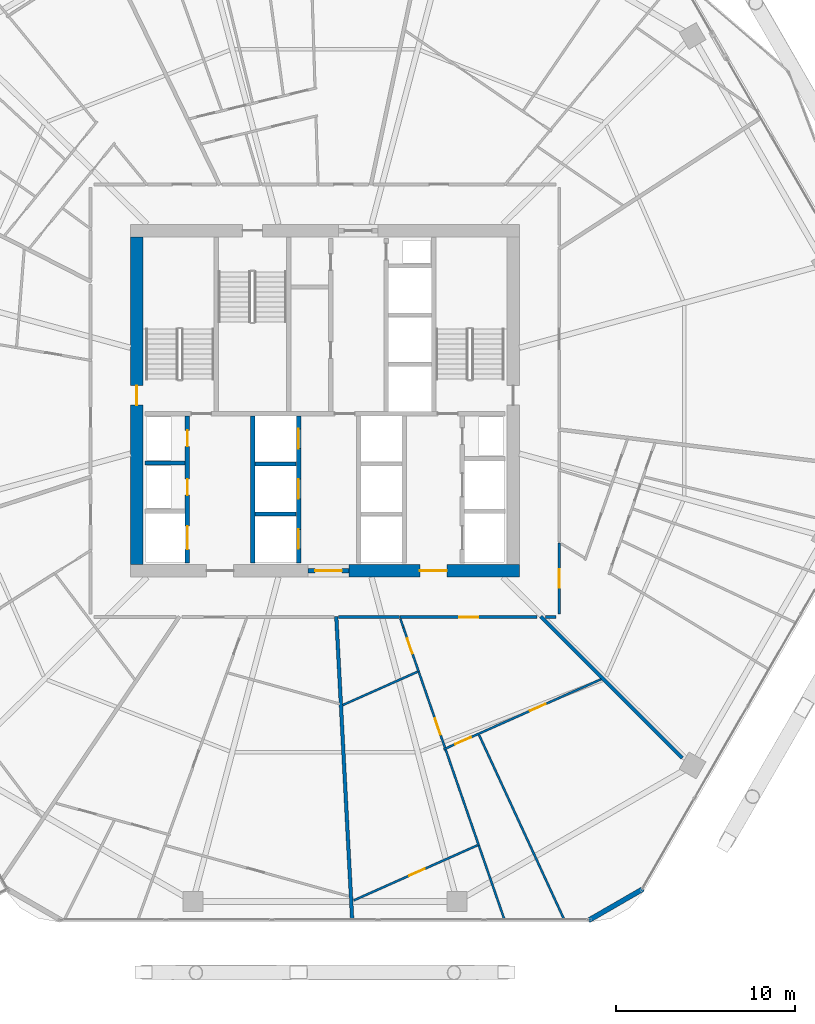
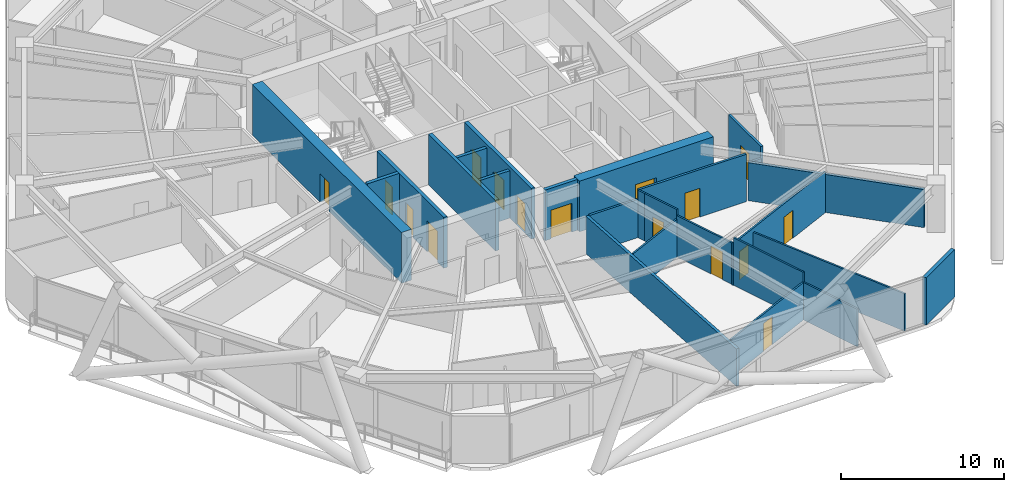
# One storey, part 28 of 35: 25 walls, 16 doors, 16 openings.
"""IFC4 building model written with IfcOpenShell, lengths in metres."""

from ifc_helpers import new_model, si_unit, direction, frame, frame_2d, origin, place, context, subcontext, project, spatial, rectangle, extrude, material, layer, layer_set, type_object, element, fill, save


model = new_model("IFC4")

# Units and contexts
model_context = context("Model", 3, precision=1e-05, world=origin(), true_north=direction((0.0, 1.0)))
body_context = subcontext(model_context, "Body", "Model", "MODEL_VIEW")
ifc_project = project(units=[si_unit("LENGTHUNIT", "METRE"), si_unit("AREAUNIT", "SQUARE_METRE"), si_unit("VOLUMEUNIT", "CUBIC_METRE"), si_unit("PLANEANGLEUNIT", "RADIAN"), si_unit("MASSUNIT", "GRAM", prefix="KILO")], contexts=[model_context])

# Site, building, storey
site_placement = place(None, origin())
site = spatial("IfcSite", under=ifc_project, at=site_placement, CompositionType="ELEMENT")
building_placement = place(site_placement, origin())
building = spatial("IfcBuilding", under=site, at=building_placement, Name="Zuhravey Tower", CompositionType="ELEMENT")
storey_placement = place(building_placement, frame((0.0, 0.0, 122.800048828125)))
storey = spatial("IfcBuildingStorey", under=building, at=storey_placement, Name="L30", CompositionType="ELEMENT", Elevation=122.800048828125)

# Wall, opening, door
ifc_material_1 = material(Name="Concrete C60/75", Category="concrete")
ifc_layer_1 = layer(ifc_material_1, 0.699951171875)
ifc_layer_set_1 = layer_set([ifc_layer_1], Name="Concrete C60/75")
wall_type_1 = type_object("IfcWallType", Name="Core Shear Wall 700", PredefinedType="SHEAR", material=ifc_layer_set_1)
wall_1_placement = place(storey_placement, frame((37.35009765625, 22.5, 0.0), z_axis=(0.0, 0.0, 1.0), x_axis=(1.0, 0.0, 0.0)))
wall_1 = element("IfcWall", 1, at=wall_1_placement, inside=storey, type_object=wall_type_1, Name="L30 South-East Core Shear Wall CW70", PredefinedType="SHEAR", context=body_context, shape_type="SweptSolid", body=[
    extrude(rectangle(XDim=9.5, YDim=0.699951171875, at=frame_2d((4.75, 0.0))), origin(), (0.0, 0.0, 1.0), 3.800048828125),
])
opening_1_placement = place(wall_1_placement, frame((3.949951171875, 0.0, 0.0)))
opening_1 = element("IfcOpeningElement", 2, at=opening_1_placement, cuts=wall_1, Name="Opening FFD1", PredefinedType="OPENING", context=body_context, shape_type="SweptSolid", body=[
    extrude(rectangle(XDim=1.5, YDim=2.14990234375, at=frame_2d((0.75, 1.074951171875))), frame((0.0, 0.362060546875, 0.0), z_axis=(0.0, -1.0, 0.0), x_axis=(1.0, 0.0, 0.0)), (0.0, 0.0, 1.0), 0.723876953125),
])
ifc_material_2 = material(Name="Galvanised fire-rated steel leaf", Category="steel")
door_type_1 = type_object("IfcDoorType", Name="Firefighting Lobby Double Door 1500x2150", OperationType="DOUBLE_DOOR_SINGLE_SWING", PredefinedType="DOOR", material=ifc_material_2)
door_1_placement = place(opening_1_placement, origin())
door_1 = element("IfcDoor", 3, at=door_1_placement, inside=storey, type_object=door_type_1, Name="L30 Firefighting Lobby East Door", OperationType="DOUBLE_DOOR_SINGLE_SWING", OverallHeight=2.14990234375, OverallWidth=1.5, PredefinedType="DOOR", context=body_context, shape_type="SweptSolid", body=[
    extrude(rectangle(XDim=1.5, YDim=2.14990234375, at=frame_2d((0.75, 1.074951171875))), frame((0.0, 0.02490234375, 0.0), z_axis=(0.0, -1.0, 0.0), x_axis=(1.0, 0.0, 0.0)), (0.0, 0.0, 1.0), 0.050048828125),
])
fill(opening_1, door_1)

wall_2_placement = place(storey_placement, frame((25.5, 22.85009765625, 0.0), z_axis=(0.0, 0.0, 1.0), x_axis=(0.0, 1.0, 0.0)))
wall_2 = element("IfcWall", 4, at=wall_2_placement, inside=storey, type_object=wall_type_1, Name="L30 West Core Shear Wall CW70", PredefinedType="SHEAR", context=body_context, shape_type="SweptSolid", body=[
    extrude(rectangle(XDim=18.2998046875, YDim=0.699951171875, at=frame_2d((9.14990234375, 0.0))), origin(), (0.0, 0.0, 1.0), 3.800048828125),
])
opening_2_placement = place(wall_2_placement, frame((8.89990234375, 0.0, 0.0)))
opening_2 = element("IfcOpeningElement", 5, at=opening_2_placement, cuts=wall_2, Name="Opening STD1", PredefinedType="OPENING", context=body_context, shape_type="SweptSolid", body=[
    extrude(rectangle(XDim=1.10009765625, YDim=2.14990234375, at=frame_2d((0.550048828125, 1.074951171875))), frame((0.0, 0.362060546875, 0.0), z_axis=(0.0, -1.0, 0.0), x_axis=(1.0, 0.0, 0.0)), (0.0, 0.0, 1.0), 0.723876953125),
])
door_type_2 = type_object("IfcDoorType", Name="Protected Stair Fire Door 1100x2150", OperationType="NOTDEFINED", PredefinedType="USERDEFINED", material=ifc_material_2)
door_2_placement = place(opening_2_placement, frame((1.10009765625, 0.0, 0.0), z_axis=(0.0, 0.0, 1.0), x_axis=(-1.0, 0.0, 0.0)))
door_2 = element("IfcDoor", 6, at=door_2_placement, inside=storey, type_object=door_type_2, Name="L30 Stair ST1 Door", ObjectType="EXITDOOR", OperationType="SINGLE_SWING_RIGHT", OverallHeight=2.14990234375, OverallWidth=1.10009765625, PredefinedType="USERDEFINED", context=body_context, shape_type="SweptSolid", body=[
    extrude(rectangle(XDim=1.10009765625, YDim=2.14990234375, at=frame_2d((0.550048828125, 1.074951171875))), frame((0.0, 0.02490234375, 0.0), z_axis=(0.0, -1.0, 0.0), x_axis=(1.0, 0.0, 0.0)), (0.0, 0.0, 1.0), 0.050048828125),
])
fill(opening_2, door_2)

ifc_material_3 = material(Name="Gypsum fire-rated stud partition")
ifc_layer_2 = layer(ifc_material_3, 0.159912109375)
ifc_layer_set_2 = layer_set([ifc_layer_2], Name="Gypsum fire-rated stud partition")
wall_type_2 = type_object("IfcWallType", Name="Corridor Fire Partition 160", PredefinedType="PARTITIONING", material=ifc_layer_set_2)
wall_3_placement = place(storey_placement, frame((40.199462890625, 19.919921875, 0.0), z_axis=(0.0, 0.0, 1.0), x_axis=(1.0, 0.0, 0.0)))
wall_3 = element("IfcWall", 7, at=wall_3_placement, inside=storey, type_object=wall_type_2, Name="L30 IW16 Partition 054", PredefinedType="PARTITIONING", context=body_context, shape_type="SweptSolid", body=[
    extrude(rectangle(XDim=7.6435546875, YDim=0.159912109375, at=frame_2d((3.82177734375, 0.0))), origin(), (0.0, 0.0, 1.0), 3.550048828125),
])
opening_3_placement = place(wall_3_placement, frame((3.296630859375, 0.0, 0.0)))
opening_3 = element("IfcOpeningElement", 8, at=opening_3_placement, cuts=wall_3, Name="Opening APD1", PredefinedType="OPENING", context=body_context, shape_type="SweptSolid", body=[
    extrude(rectangle(XDim=1.050048828125, YDim=2.14990234375, at=frame_2d((0.52490234375, 1.074951171875))), frame((0.0, 0.092041015625, 0.0), z_axis=(0.0, -1.0, 0.0), x_axis=(1.0, 0.0, 0.0)), (0.0, 0.0, 1.0), 0.183837890625),
])
ifc_material_4 = material(Name="Solid-core oak fire-rated leaf")
door_type_3 = type_object("IfcDoorType", Name="Apartment Entrance Fire Door 1050x2150", OperationType="NOTDEFINED", PredefinedType="DOOR", material=ifc_material_4)
door_3_placement = place(opening_3_placement, frame((1.050048828125, 0.0, 0.0), z_axis=(0.0, 0.0, 1.0), x_axis=(-1.0, 0.0, 0.0)))
door_3 = element("IfcDoor", 9, at=door_3_placement, inside=storey, type_object=door_type_3, Name="L30 Door 054.1", OperationType="SINGLE_SWING_RIGHT", OverallHeight=2.14990234375, OverallWidth=1.050048828125, PredefinedType="DOOR", context=body_context, shape_type="SweptSolid", body=[
    extrude(rectangle(XDim=1.050048828125, YDim=2.14990234375, at=frame_2d((0.52490234375, 1.074951171875))), frame((0.0, 0.02490234375, 0.0), z_axis=(0.0, -1.0, 0.0), x_axis=(1.0, 0.0, 0.0)), (0.0, 0.0, 1.0), 0.050048828125),
])
fill(opening_3, door_3)

wall_4_placement = place(storey_placement, frame((49.080078125, 20.1005859375, 0.0), z_axis=(0.0, 0.0, 1.0), x_axis=(0.0, 1.0, 0.0)))
wall_4 = element("IfcWall", 10, at=wall_4_placement, inside=storey, type_object=wall_type_2, Name="L30 IW16 Partition 057", PredefinedType="PARTITIONING", context=body_context, shape_type="SweptSolid", body=[
    extrude(rectangle(XDim=3.960693359375, YDim=0.159912109375, at=frame_2d((1.98046875, 0.0))), origin(), (0.0, 0.0, 1.0), 3.550048828125),
])
opening_4_placement = place(wall_4_placement, frame((1.455322265625, 0.0, 0.0)))
opening_4 = element("IfcOpeningElement", 11, at=opening_4_placement, cuts=wall_4, Name="Opening APD1", PredefinedType="OPENING", context=body_context, shape_type="SweptSolid", body=[
    extrude(rectangle(XDim=1.050048828125, YDim=2.14990234375, at=frame_2d((0.52490234375, 1.074951171875))), frame((0.0, 0.092041015625, 0.0), z_axis=(0.0, -1.0, 0.0), x_axis=(1.0, 0.0, 0.0)), (0.0, 0.0, 1.0), 0.183837890625),
])
door_4_placement = place(opening_4_placement, frame((1.050048828125, 0.0, 0.0), z_axis=(0.0, 0.0, 1.0), x_axis=(-1.0, 0.0, 0.0)))
door_4 = element("IfcDoor", 12, at=door_4_placement, inside=storey, type_object=door_type_3, Name="L30 Door 057.1", OperationType="SINGLE_SWING_LEFT", OverallHeight=2.14990234375, OverallWidth=1.050048828125, PredefinedType="DOOR", context=body_context, shape_type="SweptSolid", body=[
    extrude(rectangle(XDim=1.050048828125, YDim=2.14990234375, at=frame_2d((0.52490234375, 1.074951171875))), frame((0.0, 0.02490234375, 0.0), z_axis=(0.0, -1.0, 0.0), x_axis=(1.0, 0.0, 0.0)), (0.0, 0.0, 1.0), 0.050048828125),
])
fill(opening_4, door_4)

# Walls
wall_5_placement = place(storey_placement, frame((36.7587890625, 19.919921875, 0.0), z_axis=(0.0, 0.0, 1.0), x_axis=(1.0, 0.0, 0.0)))
element("IfcWall", 13, at=wall_5_placement, inside=storey, type_object=wall_type_2, Name="L30 IW16 Partition 125", PredefinedType="PARTITIONING", context=body_context, shape_type="SweptSolid", body=[
    extrude(rectangle(XDim=3.3984375, YDim=0.159912109375, at=frame_2d((1.69921875, 0.0))), origin(), (0.0, 0.0, 1.0), 2.849853515625),
])
wall_6_placement = place(storey_placement, frame((48.3212890625, 19.919921875, 0.0), z_axis=(0.0, 0.0, 1.0), x_axis=(1.0, 0.0, 0.0)))
element("IfcWall", 14, at=wall_6_placement, inside=storey, type_object=wall_type_2, Name="L30 IW16 Partition 126", PredefinedType="PARTITIONING", context=body_context, shape_type="SweptSolid", body=[
    extrude(rectangle(XDim=0.578125, YDim=0.159912109375, at=frame_2d((0.2890625, 0.0))), origin(), (0.0, 0.0, 1.0), 2.849853515625),
])
ifc_material_5 = material(Name="Precast concrete C40/50", Category="concrete")
ifc_layer_3 = layer(ifc_material_5, 0.280029296875)
ifc_layer_set_3 = layer_set([ifc_layer_3], Name="Precast concrete C40/50")
wall_type_3 = type_object("IfcWallType", Name="Crown Architectural Wall 280", PredefinedType="SOLIDWALL", material=ifc_layer_set_3)
wall_7_placement = place(storey_placement, frame((53.76123046875, 4.75146484375, 0.0), z_axis=(0.0, 0.0, 1.0), x_axis=(-0.866007452331, -0.500031091541, 0.0)))
element("IfcWall", 15, at=wall_7_placement, inside=storey, type_object=wall_type_3, Name="L30 Rounded Corner Closure Wall EW28-02", PredefinedType="SOLIDWALL", context=body_context, shape_type="SweptSolid", body=[
    extrude(rectangle(XDim=3.514892578125, YDim=0.280029296875, at=frame_2d((1.75732421875, 0.0))), origin(), (0.0, 0.0, 1.0), 3.550048828125),
])

# Wall, opening, door
ifc_material_6 = material(Name="Concrete C50/60", Category="concrete")
ifc_layer_4 = layer(ifc_material_6, 0.25)
ifc_layer_set_4 = layer_set([ifc_layer_4], Name="Concrete C50/60")
wall_type_4 = type_object("IfcWallType", Name="Firefighting Shaft & Stair Wall 250", PredefinedType="SOLIDWALL", material=ifc_layer_set_4)
wall_8_placement = place(storey_placement, frame((35.06005859375, 22.5, 0.0), z_axis=(0.0, 0.0, 1.0), x_axis=(1.0, 0.0, 0.0)))
wall_8 = element("IfcWall", 16, at=wall_8_placement, inside=storey, type_object=wall_type_4, Name="L30 FW25 Shaft Wall 001", PredefinedType="SOLIDWALL", context=body_context, shape_type="SweptSolid", body=[
    extrude(rectangle(XDim=2.280029296875, YDim=0.25, at=frame_2d((1.14013671875, 0.0))), origin(), (0.0, 0.0, 1.0), 3.800048828125),
])
opening_5_placement = place(wall_8_placement, frame((0.389892578125, 0.0, 0.0)))
opening_5 = element("IfcOpeningElement", 17, at=opening_5_placement, cuts=wall_8, Name="Opening FFD1", PredefinedType="OPENING", context=body_context, shape_type="SweptSolid", body=[
    extrude(rectangle(XDim=1.5, YDim=2.14990234375, at=frame_2d((0.75, 1.074951171875))), frame((0.0, 0.136962890625, 0.0), z_axis=(0.0, -1.0, 0.0), x_axis=(1.0, 0.0, 0.0)), (0.0, 0.0, 1.0), 0.27392578125),
])
door_5_placement = place(opening_5_placement, frame((1.5, 0.0, 0.0), z_axis=(0.0, 0.0, 1.0), x_axis=(-1.0, 0.0, 0.0)))
door_5 = element("IfcDoor", 18, at=door_5_placement, inside=storey, type_object=door_type_1, Name="L30 South Lift Lobby Exit Door", OperationType="DOUBLE_DOOR_SINGLE_SWING", OverallHeight=2.14990234375, OverallWidth=1.5, PredefinedType="DOOR", context=body_context, shape_type="SweptSolid", body=[
    extrude(rectangle(XDim=1.5, YDim=2.14990234375, at=frame_2d((0.75, 1.074951171875))), frame((0.0, 0.02490234375, 0.0), z_axis=(0.0, -1.0, 0.0), x_axis=(1.0, 0.0, 0.0)), (0.0, 0.0, 1.0), 0.050048828125),
])
fill(opening_5, door_5)

# Wall
wall_9_placement = place(storey_placement, frame((25.949951171875, 28.52490234375, 0.0), z_axis=(0.0, 0.0, 1.0), x_axis=(1.0, 0.0, 0.0)))
element("IfcWall", 19, at=wall_9_placement, inside=storey, type_object=wall_type_4, Name="L30 FW25 Shaft Wall 010", PredefinedType="SOLIDWALL", context=body_context, shape_type="SweptSolid", body=[
    extrude(rectangle(XDim=2.25, YDim=0.25, at=frame_2d((1.125, 0.0))), origin(), (0.0, 0.0, 1.0), 3.800048828125),
])

# Wall, openings, doors
wall_10_placement = place(storey_placement, frame((28.324951171875, 22.949951171875, 0.0), z_axis=(0.0, 0.0, 1.0), x_axis=(0.0, 1.0, 0.0)))
wall_10 = element("IfcWall", 20, at=wall_10_placement, inside=storey, type_object=wall_type_4, Name="L30 FW25 Shaft Wall 011", PredefinedType="SOLIDWALL", context=body_context, shape_type="SweptSolid", body=[
    extrude(rectangle(XDim=8.199951171875, YDim=0.25, at=frame_2d((4.10009765625, 0.0))), origin(), (0.0, 0.0, 1.0), 3.800048828125),
])
opening_6_placement = place(wall_10_placement, frame((0.75, 0.0, 0.0)))
opening_6 = element("IfcOpeningElement", 21, at=opening_6_placement, cuts=wall_10, Name="Opening LD2", PredefinedType="OPENING", context=body_context, shape_type="SweptSolid", body=[
    extrude(rectangle(XDim=1.300048828125, YDim=2.300048828125, at=frame_2d((0.64990234375, 1.14990234375))), frame((0.0, 0.136962890625, 0.0), z_axis=(0.0, -1.0, 0.0), x_axis=(1.0, 0.0, 0.0)), (0.0, 0.0, 1.0), 0.27392578125),
])
opening_7_placement = place(wall_10_placement, frame((3.780029296875, 0.0, 0.0)))
opening_7 = element("IfcOpeningElement", 22, at=opening_7_placement, cuts=wall_10, Name="Opening RSD1", PredefinedType="OPENING", context=body_context, shape_type="SweptSolid", body=[
    extrude(rectangle(XDim=0.89990234375, YDim=2.10009765625, at=frame_2d((0.449951171875, 1.050048828125))), frame((0.0, 0.136962890625, 0.0), z_axis=(0.0, -1.0, 0.0), x_axis=(1.0, 0.0, 0.0)), (0.0, 0.0, 1.0), 0.27392578125),
])
opening_8_placement = place(wall_10_placement, frame((6.5, 0.0, 0.0)))
opening_8 = element("IfcOpeningElement", 23, at=opening_8_placement, cuts=wall_10, Name="Opening RSD1", PredefinedType="OPENING", context=body_context, shape_type="SweptSolid", body=[
    extrude(rectangle(XDim=0.89990234375, YDim=2.10009765625, at=frame_2d((0.449951171875, 1.050048828125))), frame((0.0, 0.136962890625, 0.0), z_axis=(0.0, -1.0, 0.0), x_axis=(1.0, 0.0, 0.0)), (0.0, 0.0, 1.0), 0.27392578125),
])
ifc_material_7 = material(Name="Brushed stainless steel", Category="steel")
door_type_4 = type_object("IfcDoorType", Name="Freight & Stretcher Lift Sliding Door 1300x2300", OperationType="DOUBLE_DOOR_SLIDING", PredefinedType="DOOR", material=ifc_material_7)
door_6_placement = place(opening_6_placement, frame((1.300048828125, 0.0, 0.0), z_axis=(0.0, 0.0, 1.0), x_axis=(-1.0, 0.0, 0.0)))
door_6 = element("IfcDoor", 24, at=door_6_placement, inside=storey, type_object=door_type_4, Name="L30 Lift FF1 Landing Door", OperationType="DOUBLE_DOOR_SLIDING", OverallHeight=2.300048828125, OverallWidth=1.300048828125, PredefinedType="DOOR", context=body_context, shape_type="SweptSolid", body=[
    extrude(rectangle(XDim=1.300048828125, YDim=2.300048828125, at=frame_2d((0.64990234375, 1.14990234375))), frame((0.0, 0.02490234375, 0.0), z_axis=(0.0, -1.0, 0.0), x_axis=(1.0, 0.0, 0.0)), (0.0, 0.0, 1.0), 0.050048828125),
])
fill(opening_6, door_6)
ifc_material_8 = material(Name="Galvanised fire-rated steel access leaf", Category="steel")
door_type_5 = type_object("IfcDoorType", Name="Riser & Shaft Access Fire Door 900x2100", OperationType="NOTDEFINED", PredefinedType="DOOR", material=ifc_material_8)
door_7_placement = place(opening_7_placement, frame((0.89990234375, 0.0, 0.0), z_axis=(0.0, 0.0, 1.0), x_axis=(-1.0, 0.0, 0.0)))
door_7 = element("IfcDoor", 25, at=door_7_placement, inside=storey, type_object=door_type_5, Name="L30 Electrical Riser Door", OperationType="SINGLE_SWING_LEFT", OverallHeight=2.10009765625, OverallWidth=0.89990234375, PredefinedType="DOOR", context=body_context, shape_type="SweptSolid", body=[
    extrude(rectangle(XDim=0.89990234375, YDim=2.10009765625, at=frame_2d((0.449951171875, 1.050048828125))), frame((0.0, 0.02490234375, 0.0), z_axis=(0.0, -1.0, 0.0), x_axis=(1.0, 0.0, 0.0)), (0.0, 0.0, 1.0), 0.050048828125),
])
fill(opening_7, door_7)
door_8_placement = place(opening_8_placement, frame((0.89990234375, 0.0, 0.0), z_axis=(0.0, 0.0, 1.0), x_axis=(-1.0, 0.0, 0.0)))
door_8 = element("IfcDoor", 26, at=door_8_placement, inside=storey, type_object=door_type_5, Name="L30 Smoke Shaft Access Door", OperationType="SINGLE_SWING_RIGHT", OverallHeight=2.10009765625, OverallWidth=0.89990234375, PredefinedType="DOOR", context=body_context, shape_type="SweptSolid", body=[
    extrude(rectangle(XDim=0.89990234375, YDim=2.10009765625, at=frame_2d((0.449951171875, 1.050048828125))), frame((0.0, 0.02490234375, 0.0), z_axis=(0.0, -1.0, 0.0), x_axis=(1.0, 0.0, 0.0)), (0.0, 0.0, 1.0), 0.050048828125),
])
fill(opening_8, door_8)

# Wall
wall_11_placement = place(storey_placement, frame((31.97509765625, 22.949951171875, 0.0), z_axis=(0.0, 0.0, 1.0), x_axis=(0.0, 1.0, 0.0)))
element("IfcWall", 27, at=wall_11_placement, inside=storey, type_object=wall_type_4, Name="L30 FW25 Shaft Wall 012", PredefinedType="SOLIDWALL", context=body_context, shape_type="SweptSolid", body=[
    extrude(rectangle(XDim=8.199951171875, YDim=0.25, at=frame_2d((4.10009765625, 0.0))), origin(), (0.0, 0.0, 1.0), 3.800048828125),
])

# Wall, openings, doors
wall_12_placement = place(storey_placement, frame((34.52490234375, 22.949951171875, 0.0), z_axis=(0.0, 0.0, 1.0), x_axis=(0.0, 1.0, 0.0)))
wall_12 = element("IfcWall", 28, at=wall_12_placement, inside=storey, type_object=wall_type_4, Name="L30 FW25 Shaft Wall 013", PredefinedType="SOLIDWALL", context=body_context, shape_type="SweptSolid", body=[
    extrude(rectangle(XDim=8.199951171875, YDim=0.25, at=frame_2d((4.10009765625, 0.0))), origin(), (0.0, 0.0, 1.0), 3.800048828125),
])
opening_9_placement = place(wall_12_placement, frame((0.77490234375, 0.0, 0.0)))
opening_9 = element("IfcOpeningElement", 29, at=opening_9_placement, cuts=wall_12, Name="Opening LD1", PredefinedType="OPENING", context=body_context, shape_type="SweptSolid", body=[
    extrude(rectangle(XDim=1.10009765625, YDim=2.199951171875, at=frame_2d((0.550048828125, 1.10009765625))), frame((0.0, 0.136962890625, 0.0), z_axis=(0.0, -1.0, 0.0), x_axis=(1.0, 0.0, 0.0)), (0.0, 0.0, 1.0), 0.27392578125),
])
opening_10_placement = place(wall_12_placement, frame((3.574951171875, 0.0, 0.0)))
opening_10 = element("IfcOpeningElement", 30, at=opening_10_placement, cuts=wall_12, Name="Opening LD1", PredefinedType="OPENING", context=body_context, shape_type="SweptSolid", body=[
    extrude(rectangle(XDim=1.10009765625, YDim=2.199951171875, at=frame_2d((0.550048828125, 1.10009765625))), frame((0.0, 0.136962890625, 0.0), z_axis=(0.0, -1.0, 0.0), x_axis=(1.0, 0.0, 0.0)), (0.0, 0.0, 1.0), 0.27392578125),
])
opening_11_placement = place(wall_12_placement, frame((6.375, 0.0, 0.0)))
opening_11 = element("IfcOpeningElement", 31, at=opening_11_placement, cuts=wall_12, Name="Opening LD1", PredefinedType="OPENING", context=body_context, shape_type="SweptSolid", body=[
    extrude(rectangle(XDim=1.10009765625, YDim=2.199951171875, at=frame_2d((0.550048828125, 1.10009765625))), frame((0.0, 0.136962890625, 0.0), z_axis=(0.0, -1.0, 0.0), x_axis=(1.0, 0.0, 0.0)), (0.0, 0.0, 1.0), 0.27392578125),
])
door_type_6 = type_object("IfcDoorType", Name="Lift Landing Sliding Door 1100x2200", OperationType="DOUBLE_DOOR_SLIDING", PredefinedType="DOOR", material=ifc_material_7)
door_9_placement = place(opening_9_placement, frame((1.10009765625, 0.0, 0.0), z_axis=(0.0, 0.0, 1.0), x_axis=(-1.0, 0.0, 0.0)))
door_9 = element("IfcDoor", 32, at=door_9_placement, inside=storey, type_object=door_type_6, Name="L30 Lift PL1 Landing Door", OperationType="DOUBLE_DOOR_SLIDING", OverallHeight=2.199951171875, OverallWidth=1.10009765625, PredefinedType="DOOR", context=body_context, shape_type="SweptSolid", body=[
    extrude(rectangle(XDim=1.10009765625, YDim=2.199951171875, at=frame_2d((0.550048828125, 1.10009765625))), frame((0.0, 0.02490234375, 0.0), z_axis=(0.0, -1.0, 0.0), x_axis=(1.0, 0.0, 0.0)), (0.0, 0.0, 1.0), 0.050048828125),
])
fill(opening_9, door_9)
door_10_placement = place(opening_10_placement, frame((1.10009765625, 0.0, 0.0), z_axis=(0.0, 0.0, 1.0), x_axis=(-1.0, 0.0, 0.0)))
door_10 = element("IfcDoor", 33, at=door_10_placement, inside=storey, type_object=door_type_6, Name="L30 Lift PL2 Landing Door", OperationType="DOUBLE_DOOR_SLIDING", OverallHeight=2.199951171875, OverallWidth=1.10009765625, PredefinedType="DOOR", context=body_context, shape_type="SweptSolid", body=[
    extrude(rectangle(XDim=1.10009765625, YDim=2.199951171875, at=frame_2d((0.550048828125, 1.10009765625))), frame((0.0, 0.02490234375, 0.0), z_axis=(0.0, -1.0, 0.0), x_axis=(1.0, 0.0, 0.0)), (0.0, 0.0, 1.0), 0.050048828125),
])
fill(opening_10, door_10)
door_11_placement = place(opening_11_placement, frame((1.10009765625, 0.0, 0.0), z_axis=(0.0, 0.0, 1.0), x_axis=(-1.0, 0.0, 0.0)))
door_11 = element("IfcDoor", 34, at=door_11_placement, inside=storey, type_object=door_type_6, Name="L30 Lift PL3 Landing Door", OperationType="DOUBLE_DOOR_SLIDING", OverallHeight=2.199951171875, OverallWidth=1.10009765625, PredefinedType="DOOR", context=body_context, shape_type="SweptSolid", body=[
    extrude(rectangle(XDim=1.10009765625, YDim=2.199951171875, at=frame_2d((0.550048828125, 1.10009765625))), frame((0.0, 0.02490234375, 0.0), z_axis=(0.0, -1.0, 0.0), x_axis=(1.0, 0.0, 0.0)), (0.0, 0.0, 1.0), 0.050048828125),
])
fill(opening_11, door_11)

# Walls
ifc_material_9 = material(Name="Gypsum double-stud party assembly")
ifc_layer_5 = layer(ifc_material_9, 0.199951171875)
ifc_layer_set_5 = layer_set([ifc_layer_5], Name="Gypsum double-stud party assembly")
wall_type_5 = type_object("IfcWallType", Name="Inter-Tenancy Party Wall 200", PredefinedType="PARTITIONING", material=ifc_layer_set_5)
wall_13_placement = place(storey_placement, frame((36.631103515625, 19.9599609375, 0.0), z_axis=(0.0, 0.0, 1.0), x_axis=(0.052325116212, -0.998630102798, 0.0)))
element("IfcWall", 35, at=wall_13_placement, inside=storey, type_object=wall_type_5, Name="L30 IW20 Partition 101", PredefinedType="PARTITIONING", context=body_context, shape_type="SweptSolid", body=[
    extrude(rectangle(XDim=16.941650390625, YDim=0.199951171875, at=frame_2d((8.470703125, 0.0))), origin(), (0.0, 0.0, 1.0), 2.800048828125),
])
wall_14_placement = place(storey_placement, frame((48.0400390625, 19.9599609375, 0.0), z_axis=(0.0, 0.0, 1.0), x_axis=(0.707106781187, -0.707106781187, 0.0)))
element("IfcWall", 36, at=wall_14_placement, inside=storey, type_object=wall_type_5, Name="L30 IW20 Partition 106", PredefinedType="PARTITIONING", context=body_context, shape_type="SweptSolid", body=[
    extrude(rectangle(XDim=11.184814453125, YDim=0.199951171875, at=frame_2d((5.59228515625, 0.0))), origin(), (0.0, 0.0, 1.0), 2.849853515625),
])
ifc_material_10 = material(Name="Gypsum acoustic stud assembly")
ifc_layer_6 = layer(ifc_material_10, 0.219970703125)
ifc_layer_set_6 = layer_set([ifc_layer_6], Name="Gypsum acoustic stud assembly")
wall_type_6 = type_object("IfcWallType", Name="School Acoustic Compartment Wall 220", PredefinedType="PARTITIONING", material=ifc_layer_set_6)
for number, where, z_axis, x_axis, name in (
    (37, (32.10791015625, 25.675048828125, 0.0), (0.0, 0.0, 1.0), (1.0, 0.0, 0.0), "L30 IW22 Partition 063"),
    (38, (32.10791015625, 28.47509765625, 0.0), (0.0, 0.0, 1.0), (1.0, 0.0, 0.0), "L30 IW22 Partition 064"),
):
    element("IfcWall", number, at=place(storey_placement, frame(where, z_axis=z_axis, x_axis=x_axis)), inside=storey, type_object=wall_type_6, Name=name, PredefinedType="PARTITIONING", context=body_context, shape_type="SweptSolid", body=[
        extrude(rectangle(XDim=2.2841796875, YDim=0.219970703125, at=frame_2d((1.14208984375, 0.0))), origin(), (0.0, 0.0, 1.0), 3.550048828125),
    ])

# Wall, openings, doors
ifc_material_11 = material(Name="Gypsum metal-stud partition")
ifc_layer_7 = layer(ifc_material_11, 0.1201171875)
ifc_layer_set_7 = layer_set([ifc_layer_7], Name="Gypsum metal-stud partition")
wall_type_7 = type_object("IfcWallType", Name="Unit Internal Partition 120", PredefinedType="PARTITIONING", material=ifc_layer_set_7)
wall_15_placement = place(storey_placement, frame((42.625, 12.54052734375, 0.0), z_axis=(0.0, 0.0, 1.0), x_axis=(0.913542487884, 0.406743313198, 0.0)))
wall_15 = element("IfcWall", 39, at=wall_15_placement, inside=storey, type_object=wall_type_7, Name="L30 IW12 Partition 049", PredefinedType="PARTITIONING", context=body_context, shape_type="SweptSolid", body=[
    extrude(rectangle(XDim=9.62353515625, YDim=0.1201171875, at=frame_2d((4.811767578125, 0.0))), origin(), (0.0, 0.0, 1.0), 3.099853515625),
])
opening_12_placement = place(wall_15_placement, frame((0.710693359375, 0.0, 0.0)))
opening_12 = element("IfcOpeningElement", 40, at=opening_12_placement, cuts=wall_15, Name="Opening IND1", PredefinedType="OPENING", context=body_context, shape_type="SweptSolid", body=[
    extrude(rectangle(XDim=0.949951171875, YDim=2.10009765625, at=frame_2d((0.47509765625, 1.050048828125))), frame((0.0, 0.072021484375, 0.0), z_axis=(0.0, -1.0, 0.0), x_axis=(1.0, 0.0, 0.0)), (0.0, 0.0, 1.0), 0.14404296875),
])
opening_13_placement = place(wall_15_placement, frame((5.282470703125, 0.0, 0.0)))
opening_13 = element("IfcOpeningElement", 41, at=opening_13_placement, cuts=wall_15, Name="Opening IND1", PredefinedType="OPENING", context=body_context, shape_type="SweptSolid", body=[
    extrude(rectangle(XDim=0.949951171875, YDim=2.10009765625, at=frame_2d((0.47509765625, 1.050048828125))), frame((0.0, 0.072021484375, 0.0), z_axis=(0.0, -1.0, 0.0), x_axis=(1.0, 0.0, 0.0)), (0.0, 0.0, 1.0), 0.14404296875),
])
ifc_material_12 = material(Name="Painted engineered timber leaf", Category="wood")
door_type_7 = type_object("IfcDoorType", Name="Internal Room & Bedroom Door 950x2100", OperationType="NOTDEFINED", PredefinedType="DOOR", material=ifc_material_12)
door_12_placement = place(opening_12_placement, frame((0.949951171875, 0.0, 0.0), z_axis=(0.0, 0.0, 1.0), x_axis=(-1.0, 0.0, 0.0)))
door_12 = element("IfcDoor", 42, at=door_12_placement, inside=storey, type_object=door_type_7, Name="Apartment L30-07 Family Study Door", OperationType="SINGLE_SWING_LEFT", OverallHeight=2.10009765625, OverallWidth=0.949951171875, PredefinedType="DOOR", context=body_context, shape_type="SweptSolid", body=[
    extrude(rectangle(XDim=0.949951171875, YDim=2.10009765625, at=frame_2d((0.47509765625, 1.050048828125))), frame((0.0, 0.02490234375, 0.0), z_axis=(0.0, -1.0, 0.0), x_axis=(1.0, 0.0, 0.0)), (0.0, 0.0, 1.0), 0.050048828125),
])
fill(opening_12, door_12)
door_13_placement = place(opening_13_placement, frame((0.949951171875, 0.0, 0.0), z_axis=(0.0, 0.0, 1.0), x_axis=(-1.0, 0.0, 0.0)))
door_13 = element("IfcDoor", 43, at=door_13_placement, inside=storey, type_object=door_type_7, Name="Apartment L30-07 Dining Room Door", OperationType="SINGLE_SWING_RIGHT", OverallHeight=2.10009765625, OverallWidth=0.949951171875, PredefinedType="DOOR", context=body_context, shape_type="SweptSolid", body=[
    extrude(rectangle(XDim=0.949951171875, YDim=2.10009765625, at=frame_2d((0.47509765625, 1.050048828125))), frame((0.0, 0.02490234375, 0.0), z_axis=(0.0, -1.0, 0.0), x_axis=(1.0, 0.0, 0.0)), (0.0, 0.0, 1.0), 0.050048828125),
])
fill(opening_13, door_13)

# Wall, opening, door
wall_16_placement = place(storey_placement, frame((40.37548828125, 19.35009765625, 0.0), z_axis=(0.0, 0.0, 1.0), x_axis=(0.326851488324, -0.945075713676, 0.0)))
wall_16 = element("IfcWall", 44, at=wall_16_placement, inside=storey, type_object=wall_type_7, Name="L30 IW12 Partition 050", PredefinedType="PARTITIONING", context=body_context, shape_type="SweptSolid", body=[
    extrude(rectangle(XDim=2.621826171875, YDim=0.1201171875, at=frame_2d((1.31103515625, 0.0))), origin(), (0.0, 0.0, 1.0), 3.550048828125),
])
opening_14_placement = place(wall_16_placement, frame((0.651123046875, 0.0, 0.0)))
opening_14 = element("IfcOpeningElement", 45, at=opening_14_placement, cuts=wall_16, Name="Opening WCD1", PredefinedType="OPENING", context=body_context, shape_type="SweptSolid", body=[
    extrude(rectangle(XDim=0.89990234375, YDim=2.10009765625, at=frame_2d((0.449951171875, 1.050048828125))), frame((0.0, 0.072021484375, 0.0), z_axis=(0.0, -1.0, 0.0), x_axis=(1.0, 0.0, 0.0)), (0.0, 0.0, 1.0), 0.14404296875),
])
ifc_material_13 = material(Name="Moisture-resistant timber leaf", Category="wood")
door_type_8 = type_object("IfcDoorType", Name="Bathroom & WC Internal Door 900x2100", OperationType="NOTDEFINED", PredefinedType="DOOR", material=ifc_material_13)
door_14_placement = place(opening_14_placement, frame((0.89990234375, 0.0, 0.0), z_axis=(0.0, 0.0, 1.0), x_axis=(-1.0, 0.0, 0.0)))
door_14 = element("IfcDoor", 46, at=door_14_placement, inside=storey, type_object=door_type_8, Name="Apartment L30-07 Bathroom Door", OperationType="SINGLE_SWING_LEFT", OverallHeight=2.10009765625, OverallWidth=0.89990234375, PredefinedType="DOOR", context=body_context, shape_type="SweptSolid", body=[
    extrude(rectangle(XDim=0.89990234375, YDim=2.10009765625, at=frame_2d((0.449951171875, 1.050048828125))), frame((0.0, 0.02490234375, 0.0), z_axis=(0.0, -1.0, 0.0), x_axis=(1.0, 0.0, 0.0)), (0.0, 0.0, 1.0), 0.050048828125),
])
fill(opening_14, door_14)

wall_17_placement = place(storey_placement, frame((41.232666015625, 16.872314453125, 0.0), z_axis=(0.0, 0.0, 1.0), x_axis=(0.326853664791, -0.945074960949, 0.0)))
wall_17 = element("IfcWall", 47, at=wall_17_placement, inside=storey, type_object=wall_type_7, Name="L30 IW12 Partition 051", PredefinedType="PARTITIONING", context=body_context, shape_type="SweptSolid", body=[
    extrude(rectangle(XDim=4.471923828125, YDim=0.1201171875, at=frame_2d((2.23583984375, 0.0))), origin(), (0.0, 0.0, 1.0), 3.099853515625),
])
opening_15_placement = place(wall_17_placement, frame((2.77001953125, 0.0, 0.0)))
opening_15 = element("IfcOpeningElement", 48, at=opening_15_placement, cuts=wall_17, Name="Opening IND1", PredefinedType="OPENING", context=body_context, shape_type="SweptSolid", body=[
    extrude(rectangle(XDim=0.949951171875, YDim=2.10009765625, at=frame_2d((0.47509765625, 1.050048828125))), frame((0.0, 0.072021484375, 0.0), z_axis=(0.0, -1.0, 0.0), x_axis=(1.0, 0.0, 0.0)), (0.0, 0.0, 1.0), 0.14404296875),
])
door_15_placement = place(opening_15_placement, frame((0.949951171875, 0.0, 0.0), z_axis=(0.0, 0.0, 1.0), x_axis=(-1.0, 0.0, 0.0)))
door_15 = element("IfcDoor", 49, at=door_15_placement, inside=storey, type_object=door_type_7, Name="Apartment L30-07 Home Office Door", OperationType="SINGLE_SWING_RIGHT", OverallHeight=2.10009765625, OverallWidth=0.949951171875, PredefinedType="DOOR", context=body_context, shape_type="SweptSolid", body=[
    extrude(rectangle(XDim=0.949951171875, YDim=2.10009765625, at=frame_2d((0.47509765625, 1.050048828125))), frame((0.0, 0.02490234375, 0.0), z_axis=(0.0, -1.0, 0.0), x_axis=(1.0, 0.0, 0.0)), (0.0, 0.0, 1.0), 0.050048828125),
])
fill(opening_15, door_15)

# Wall
wall_18_placement = place(storey_placement, frame((42.739013671875, 12.516845703125, 0.0), z_axis=(0.0, 0.0, 1.0), x_axis=(0.32689789909, -0.945059661382, 0.0)))
element("IfcWall", 50, at=wall_18_placement, inside=storey, type_object=wall_type_7, Name="L30 IW12 Partition 052", PredefinedType="PARTITIONING", context=body_context, shape_type="SweptSolid", body=[
    extrude(rectangle(XDim=5.638671875, YDim=0.1201171875, at=frame_2d((2.8193359375, 0.0))), origin(), (0.0, 0.0, 1.0), 3.550048828125),
])

# Wall, opening, door
wall_19_placement = place(storey_placement, frame((37.605712890625, 4.109375, 0.0), z_axis=(0.0, 0.0, 1.0), x_axis=(0.913547663518, 0.406731688562, 0.0)))
wall_19 = element("IfcWall", 51, at=wall_19_placement, inside=storey, type_object=wall_type_7, Name="L30 IW12 Partition 053", PredefinedType="PARTITIONING", context=body_context, shape_type="SweptSolid", body=[
    extrude(rectangle(XDim=7.5595703125, YDim=0.1201171875, at=frame_2d((3.77978515625, 0.0))), origin(), (0.0, 0.0, 1.0), 2.800048828125),
])
opening_16_placement = place(wall_19_placement, frame((3.38916015625, 0.0, 0.0)))
opening_16 = element("IfcOpeningElement", 52, at=opening_16_placement, cuts=wall_19, Name="Opening IND1", PredefinedType="OPENING", context=body_context, shape_type="SweptSolid", body=[
    extrude(rectangle(XDim=0.949951171875, YDim=2.10009765625, at=frame_2d((0.47509765625, 1.050048828125))), frame((0.0, 0.072021484375, 0.0), z_axis=(0.0, -1.0, 0.0), x_axis=(1.0, 0.0, 0.0)), (0.0, 0.0, 1.0), 0.14404296875),
])
door_16_placement = place(opening_16_placement, frame((0.949951171875, 0.0, 0.0), z_axis=(0.0, 0.0, 1.0), x_axis=(-1.0, 0.0, 0.0)))
door_16 = element("IfcDoor", 53, at=door_16_placement, inside=storey, type_object=door_type_7, Name="Apartment L30-07 Bedroom 1 Door", OperationType="SINGLE_SWING_LEFT", OverallHeight=2.10009765625, OverallWidth=0.949951171875, PredefinedType="DOOR", context=body_context, shape_type="SweptSolid", body=[
    extrude(rectangle(XDim=0.949951171875, YDim=2.10009765625, at=frame_2d((0.47509765625, 1.050048828125))), frame((0.0, 0.02490234375, 0.0), z_axis=(0.0, -1.0, 0.0), x_axis=(1.0, 0.0, 0.0)), (0.0, 0.0, 1.0), 0.050048828125),
])
fill(opening_16, door_16)

# Walls
wall_20_placement = place(storey_placement, frame((44.6005859375, 13.345703125, 0.0), z_axis=(0.0, 0.0, 1.0), x_axis=(0.418713944569, -0.90811818208, 0.0)))
element("IfcWall", 54, at=wall_20_placement, inside=storey, type_object=wall_type_7, Name="L30 IW12 Partition 102", PredefinedType="PARTITIONING", context=body_context, shape_type="SweptSolid", body=[
    extrude(rectangle(XDim=11.3798828125, YDim=0.1201171875, at=frame_2d((5.68994140625, 0.0))), origin(), (0.0, 0.0, 1.0), 2.800048828125),
])
wall_21_placement = place(storey_placement, frame((40.208740234375, 19.83203125, 0.0), z_axis=(0.0, 0.0, 1.0), x_axis=(0.326979018049, -0.945031598284, 0.0)))
element("IfcWall", 55, at=wall_21_placement, inside=storey, type_object=wall_type_7, Name="L30 IW12 Partition 103", PredefinedType="PARTITIONING", context=body_context, shape_type="SweptSolid", body=[
    extrude(rectangle(XDim=0.510009765625, YDim=0.1201171875, at=frame_2d((0.2548828125, 0.0))), origin(), (0.0, 0.0, 1.0), 3.550048828125),
])
wall_22_placement = place(storey_placement, frame((44.582275390625, 7.18798828125, 0.0), z_axis=(0.0, 0.0, 1.0), x_axis=(0.326848948983, -0.945076591896, 0.0)))
element("IfcWall", 56, at=wall_22_placement, inside=storey, type_object=wall_type_7, Name="L30 IW12 Partition 104", PredefinedType="PARTITIONING", context=body_context, shape_type="SweptSolid", body=[
    extrude(rectangle(XDim=4.391357421875, YDim=0.1201171875, at=frame_2d((2.19580078125, 0.0))), origin(), (0.0, 0.0, 1.0), 2.800048828125),
])
wall_23_placement = place(storey_placement, frame((36.998291015625, 15.014404296875, 0.0), z_axis=(0.0, 0.0, 1.0), x_axis=(0.913552925769, 0.406719868975, 0.0)))
element("IfcWall", 57, at=wall_23_placement, inside=storey, type_object=wall_type_7, Name="L30 IW12 Partition 105", PredefinedType="PARTITIONING", context=body_context, shape_type="SweptSolid", body=[
    extrude(rectangle(XDim=4.557861328125, YDim=0.1201171875, at=frame_2d((2.27880859375, 0.0))), origin(), (0.0, 0.0, 1.0), 2.849853515625),
])

save(model, "model.ifc")
